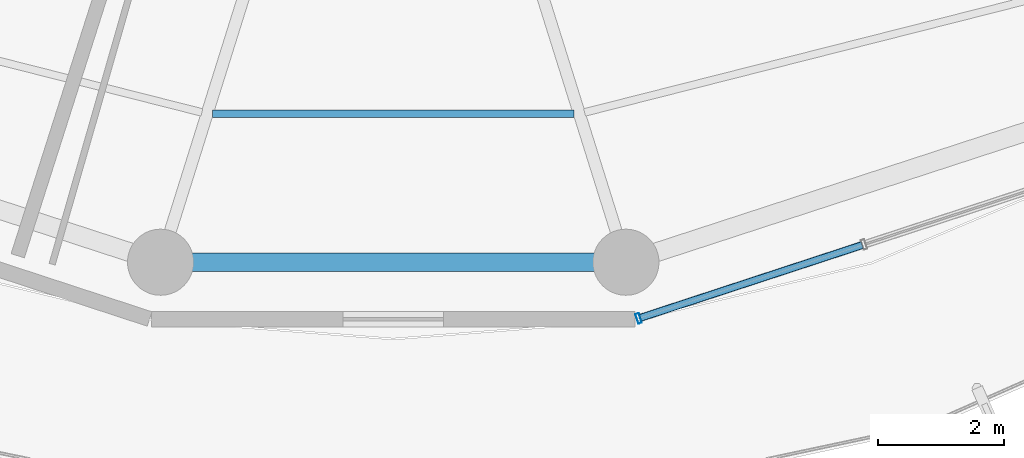
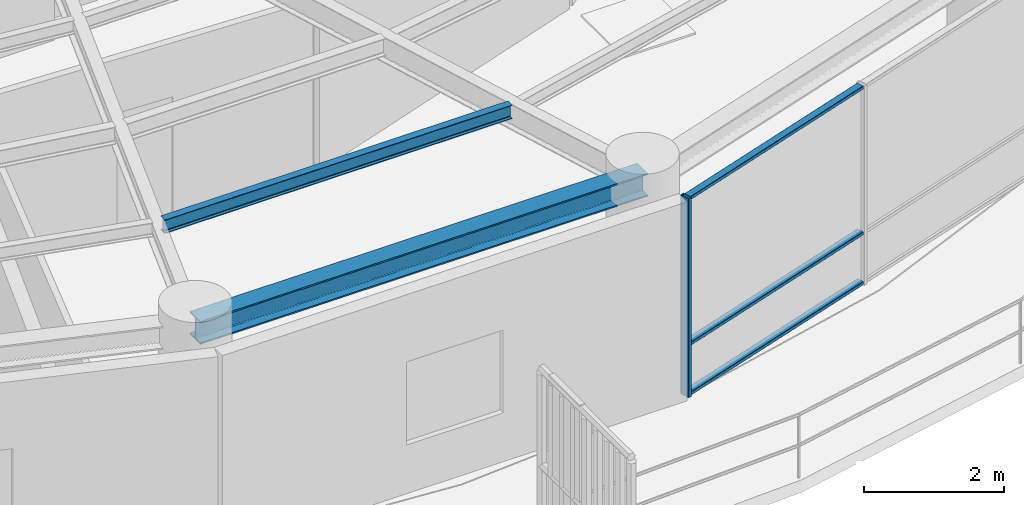
# One storey, part 4 of 31: 4 members, 2 beams, 1 element without a shape of its own.
"""IFC4 building model written with IfcOpenShell, lengths in metres."""

from ifc_helpers import new_model, si_unit, direction, frame, origin, origin_2d, place, context, subcontext, project, spatial, hollow_rectangle, i_section, extrude, material, layer, layer_set, material_profile, profile_set, type_object, element, aggregate, save


model = new_model("IFC4")

# Units and contexts
model_context = context("Model", 3, precision=1e-05, world=origin(), true_north=direction((0.0, 1.0)))
body_context = subcontext(model_context, "Body", "Model", "MODEL_VIEW")
ifc_project = project(units=[si_unit("LENGTHUNIT", "METRE"), si_unit("AREAUNIT", "SQUARE_METRE"), si_unit("VOLUMEUNIT", "CUBIC_METRE"), si_unit("PLANEANGLEUNIT", "RADIAN"), si_unit("MASSUNIT", "GRAM", prefix="KILO")], contexts=[model_context])

# Site, building, storey
site_placement = place(None, origin())
site = spatial("IfcSite", under=ifc_project, at=site_placement, CompositionType="ELEMENT")
building_placement = place(site_placement, origin())
building = spatial("IfcBuilding", under=site, at=building_placement, Name="Kelanora Arch Commons", CompositionType="ELEMENT")
storey_placement = place(building_placement, frame((0.0, 0.0, 226.949951171875)))
storey = spatial("IfcBuildingStorey", under=building, at=storey_placement, Name="L58", CompositionType="ELEMENT", Elevation=226.949951171875)

# Beams
ifc_material_1 = material(Name="Steel S355", Category="steel")
ifc_material_profile_1 = material_profile(ifc_material_1, i_section(OverallWidth=0.1201171875, OverallDepth=0.239990234375, WebThickness=0.006103515625, FlangeThickness=0.009765625, FilletRadius=0.014892578125, at=origin_2d()), Name="IPE240")
ifc_profile_set_1 = profile_set([ifc_material_profile_1], Name="Steel S355")
beam_type_1 = type_object("IfcBeamType", Name="BM-JST-02", PredefinedType="JOIST", material=ifc_profile_set_1)
beam_1_placement = place(storey_placement, frame((71.12890625, 41.56787109375, 3.3701171875), z_axis=(1.0, 0.0, 0.0), x_axis=(0.0, 1.0, 0.0)))
element("IfcBeam", 1, at=beam_1_placement, inside=storey, type_object=beam_type_1, Name="Secondary Chord Joist BJC-26 L58", PredefinedType="JOIST", context=body_context, shape_type="SweptSolid", body=[
    extrude(i_section(OverallWidth=0.1201171875, OverallDepth=0.239990234375, WebThickness=0.006103515625, FlangeThickness=0.009765625, FilletRadius=0.014892578125, at=origin_2d()), origin(), (0.0, 0.0, 1.0), 5.7421875),
])
ifc_material_profile_2 = material_profile(ifc_material_1, i_section(OverallWidth=0.300048828125, OverallDepth=0.39990234375, WebThickness=0.013427734375, FlangeThickness=0.02392578125, FilletRadius=0.027099609375, at=origin_2d()), Name="HEB400")
ifc_profile_set_2 = profile_set([ifc_material_profile_2], Name="Steel S355")
beam_type_2 = type_object("IfcBeamType", Name="BM-SPN-Z4", PredefinedType="SPANDREL", material=ifc_profile_set_2)
beam_2_placement = place(storey_placement, frame((70.3046875, 39.2099609375, 3.2900390625), z_axis=(1.0, 0.0, 0.0), x_axis=(0.0, 1.0, 0.0)))
element("IfcBeam", 2, at=beam_2_placement, inside=storey, type_object=beam_type_2, Name="Perimeter Spandrel Beam BS-26 L58", PredefinedType="SPANDREL", context=body_context, shape_type="SweptSolid", body=[
    extrude(i_section(OverallWidth=0.300048828125, OverallDepth=0.39990234375, WebThickness=0.013427734375, FlangeThickness=0.02392578125, FilletRadius=0.027099609375, at=origin_2d()), origin(), (0.0, 0.0, 1.0), 7.390625),
])

# Curtain wall, members
ifc_material_2 = material(Name="Terracotta ceramic-fritted low-E glass and aluminium", Category="masonry")
ifc_layer = layer(ifc_material_2, 0.175048828125)
ifc_layer_set = layer_set([ifc_layer], Name="Terracotta ceramic-fritted low-E glass and aluminium")
curtain_wall_type = type_object("IfcCurtainWallType", Name="CW-SYS-02", PredefinedType="NOTDEFINED", material=ifc_layer_set)
curtain_wall_placement = place(storey_placement, origin())
curtain_wall = element("IfcCurtainWall", 3, at=curtain_wall_placement, inside=storey, type_object=curtain_wall_type, Name="Unitised Curtain Wall L58-B14", PredefinedType="NOTDEFINED")
ifc_material_3 = material(Name="Powder-coated aluminium terracotta", Category="masonry")
ifc_material_profile_3 = material_profile(ifc_material_3, hollow_rectangle(XDim=0.159912109375, YDim=0.06005859375, WallThickness=0.0048828125, InnerFilletRadius=0.0048828125, OuterFilletRadius=0.010009765625, at=origin_2d()), Name="CWM160x60")
ifc_profile_set_3 = profile_set([ifc_material_profile_3], Name="Powder-coated aluminium terracotta")
member_type_1 = type_object("IfcMemberType", Name="CWM-STD", PredefinedType="MULLION", material=ifc_profile_set_3)
member_1_placement = place(storey_placement, frame((77.897705078125, 38.31787109375, 0.0), z_axis=(0.0, 0.0, 1.0), x_axis=(-0.311582439059, 0.950219124029, 0.0)))
member_1 = element("IfcMember", 4, at=member_1_placement, type_object=member_type_1, Name="CW-02 mullion 1", PredefinedType="MULLION", context=body_context, shape_type="SweptSolid", body=[
    extrude(hollow_rectangle(XDim=0.159912109375, YDim=0.06005859375, WallThickness=0.0048828125, InnerFilletRadius=0.0048828125, OuterFilletRadius=0.010009765625, at=origin_2d()), origin(), (0.0, 0.0, 1.0), 3.47509765625),
])
ifc_material_profile_4 = material_profile(ifc_material_3, hollow_rectangle(XDim=0.1201171875, YDim=0.06005859375, WallThickness=0.0048828125, InnerFilletRadius=0.0048828125, OuterFilletRadius=0.010009765625, at=origin_2d()), Name="CWT120x60")
ifc_profile_set_4 = profile_set([ifc_material_profile_4], Name="Powder-coated aluminium terracotta")
member_type_2 = type_object("IfcMemberType", Name="CWT-STD", PredefinedType="USERDEFINED", material=ifc_profile_set_4)
member_2_placement = place(storey_placement, frame((77.92626953125, 38.3271484375, 0.030029296875), z_axis=(0.950206527055, 0.311620852867, 0.0), x_axis=(-0.311620852867, 0.950206527055, 0.0)))
member_2 = element("IfcMember", 5, at=member_2_placement, type_object=member_type_2, Name="CW-02 transom 1.1", ObjectType="TRANSOM", PredefinedType="USERDEFINED", context=body_context, shape_type="SweptSolid", body=[
    extrude(hollow_rectangle(XDim=0.1201171875, YDim=0.06005859375, WallThickness=0.0048828125, InnerFilletRadius=0.0048828125, OuterFilletRadius=0.010009765625, at=origin_2d()), origin(), (0.0, 0.0, 1.0), 3.707275390625),
])
member_3_placement = place(storey_placement, frame((77.92626953125, 38.3271484375, 0.900146484375), z_axis=(0.950206527055, 0.311620852867, 0.0), x_axis=(-0.311620852867, 0.950206527055, 0.0)))
member_3 = element("IfcMember", 6, at=member_3_placement, type_object=member_type_2, Name="CW-02 transom 1.2", ObjectType="TRANSOM", PredefinedType="USERDEFINED", context=body_context, shape_type="SweptSolid", body=[
    extrude(hollow_rectangle(XDim=0.1201171875, YDim=0.06005859375, WallThickness=0.0048828125, InnerFilletRadius=0.0048828125, OuterFilletRadius=0.010009765625, at=origin_2d()), origin(), (0.0, 0.0, 1.0), 3.707275390625),
])
member_4_placement = place(storey_placement, frame((77.92626953125, 38.3271484375, 3.445068359375), z_axis=(0.950206527055, 0.311620852867, 0.0), x_axis=(-0.311620852867, 0.950206527055, 0.0)))
member_4 = element("IfcMember", 7, at=member_4_placement, type_object=member_type_2, Name="CW-02 transom 1.3", ObjectType="TRANSOM", PredefinedType="USERDEFINED", context=body_context, shape_type="SweptSolid", body=[
    extrude(hollow_rectangle(XDim=0.1201171875, YDim=0.06005859375, WallThickness=0.0048828125, InnerFilletRadius=0.0048828125, OuterFilletRadius=0.010009765625, at=origin_2d()), origin(), (0.0, 0.0, 1.0), 3.707275390625),
])
aggregate(curtain_wall, [member_1, member_2, member_3, member_4])

save(model, "model.ifc")
